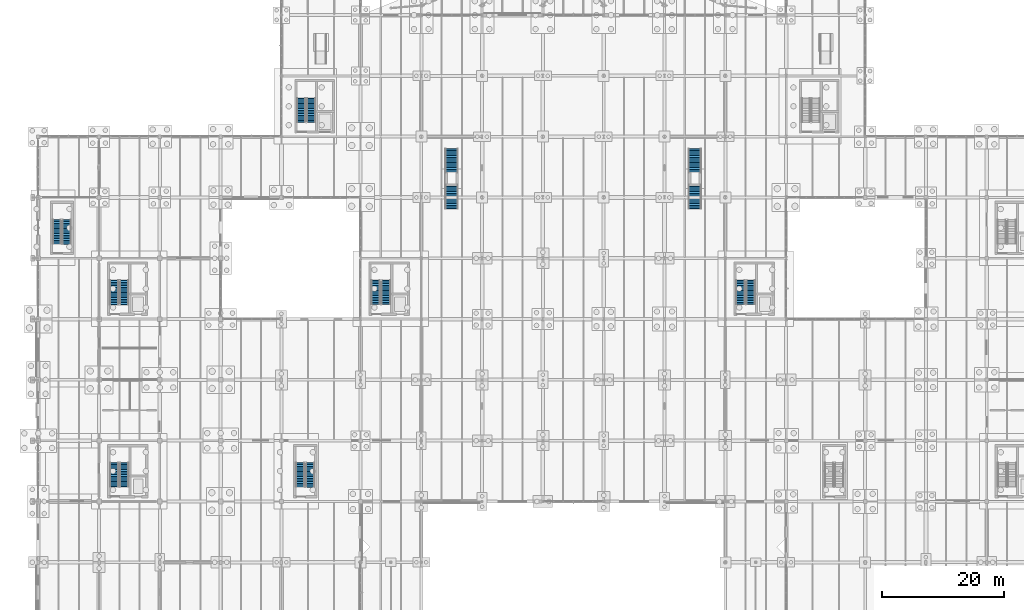
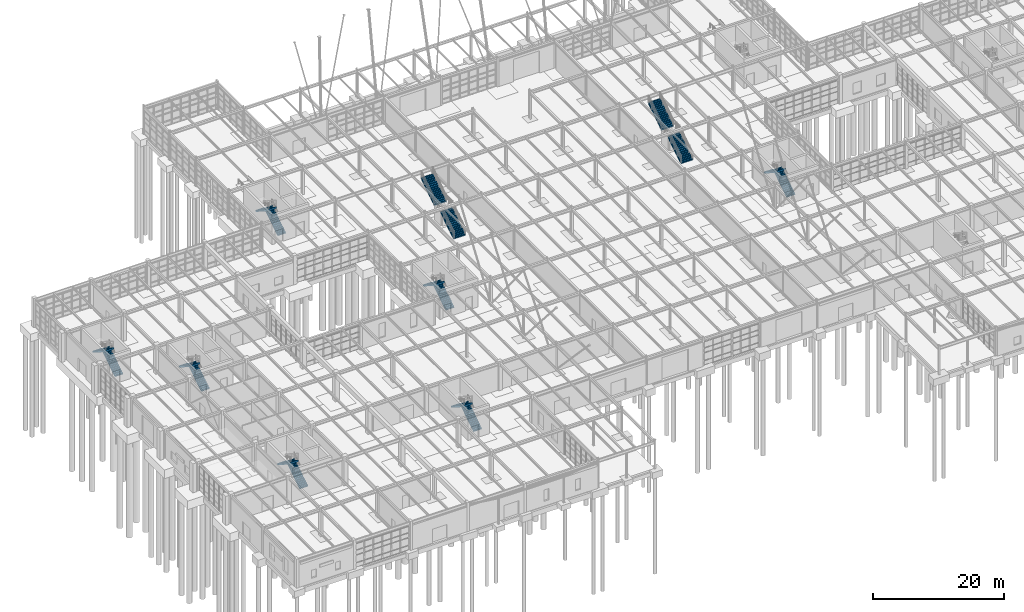
# One storey, part 128 of 145: 18 stair flights, 9 elements without a shape of their own.
"""IFC4 building model written with IfcOpenShell, lengths in metres."""

from ifc_helpers import new_model, si_unit, direction, frame, origin, place, context, subcontext, project, spatial, polyline, outline, extrude, material, type_object, element, aggregate, save


model = new_model("IFC4")

# Units and contexts
model_context = context("Model", 3, precision=1e-05, world=origin(), true_north=direction((0.0, 1.0)))
body_context = subcontext(model_context, "Body", "Model", "MODEL_VIEW")
ifc_project = project(units=[si_unit("LENGTHUNIT", "METRE"), si_unit("AREAUNIT", "SQUARE_METRE"), si_unit("VOLUMEUNIT", "CUBIC_METRE"), si_unit("PLANEANGLEUNIT", "RADIAN"), si_unit("MASSUNIT", "GRAM", prefix="KILO"), si_unit("THERMODYNAMICTEMPERATUREUNIT", "KELVIN"), si_unit("POWERUNIT", "WATT")], contexts=[model_context])

# Site, building, storey
site_placement = place(None, origin())
site = spatial("IfcSite", under=ifc_project, at=site_placement, CompositionType="ELEMENT")
building_placement = place(site_placement, origin())
building = spatial("IfcBuilding", under=site, at=building_placement, Name="Korenveer Ferry Terminal", CompositionType="ELEMENT")
storey_placement = place(building_placement, origin())
storey = spatial("IfcBuildingStorey", under=building, at=storey_placement, Name="L00", CompositionType="ELEMENT", Elevation=0.0)

# Stair, stair flights
ifc_material = material(Name="Concrete C40/50", Category="concrete")
stair_type_1 = type_object("IfcStairType", Name="INT-ST-01", PredefinedType="HALF_TURN_STAIR", material=ifc_material)
stair_1_placement = place(storey_placement, frame((14.175048828125, 22.449951171875, 0.0)))
stair_1 = element("IfcStair", 1, at=stair_1_placement, inside=storey, type_object=stair_type_1, Name="L00 West Firefighting Core K1", PredefinedType="HALF_TURN_STAIR")
stair_flight_type_1 = type_object("IfcStairFlightType", Name="INT-SF-01", PredefinedType="STRAIGHT", material=ifc_material)
stair_flight_1_placement = place(storey_placement, frame((14.175048828125, 22.449951171875, 0.0), z_axis=(0.0, 0.0, 1.0), x_axis=(0.0, 1.0, 0.0)))
stair_flight_1 = element("IfcStairFlight", 2, at=stair_flight_1_placement, type_object=stair_flight_type_1, Name="ST01 flight 1", NumberOfRisers=15, NumberOfTreads=14, PredefinedType="STRAIGHT", RiserHeight=0.18, TreadLength=0.28, context=body_context, shape_type="SweptSolid", body=[
    extrude(outline(polyline([(-0.080078125, 0.0), (0.0, 0.0), (0.0, 0.179931640625), (0.280029296875, 0.179931640625), (0.280029296875, 0.360107421875), (0.56005859375, 0.360107421875), (0.56005859375, 0.5400390625), (0.840087890625, 0.5400390625), (0.840087890625, 0.719970703125), (1.1201171875, 0.719970703125), (1.1201171875, 0.89990234375), (1.39990234375, 0.89990234375), (1.39990234375, 1.080078125), (1.679931640625, 1.080078125), (1.679931640625, 1.260009765625), (1.9599609375, 1.260009765625), (1.9599609375, 1.43994140625), (2.239990234375, 1.43994140625), (2.239990234375, 1.6201171875), (2.52001953125, 1.6201171875), (2.52001953125, 1.800048828125), (2.800048828125, 1.800048828125), (2.800048828125, 1.97998046875), (3.080078125, 1.97998046875), (3.080078125, 2.159912109375), (3.360107421875, 2.159912109375), (3.360107421875, 2.340087890625), (3.639892578125, 2.340087890625), (3.639892578125, 2.52001953125), (3.919921875, 2.52001953125), (3.919921875, 2.699951171875), (3.97998046875, 2.699951171875), (3.97998046875, 2.550048828125), (3.919921875, 2.341796875), (0.277099609375, 0.0), (0.0, -0.10009765625), (-0.080078125, -0.10009765625), (-0.080078125, 0.0)])), frame((0.0, 0.72509765625, 0.0), z_axis=(0.0, -1.0, 0.0), x_axis=(1.0, 0.0, 0.0)), (0.0, 0.0, 1.0), 1.449951171875),
])
stair_flight_2_placement = place(storey_placement, frame((12.52490234375, 26.3701171875, 2.699951171875), z_axis=(0.0, 0.0, 1.0), x_axis=(0.0, -1.0, 0.0)))
stair_flight_2 = element("IfcStairFlight", 3, at=stair_flight_2_placement, type_object=stair_flight_type_1, Name="ST01 flight 2", NumberOfRisers=15, NumberOfTreads=14, PredefinedType="STRAIGHT", RiserHeight=0.18, TreadLength=0.28, context=body_context, shape_type="SweptSolid", body=[
    extrude(outline(polyline([(-0.080078125, 0.0), (0.0, 0.0), (0.0, 0.179931640625), (0.280029296875, 0.179931640625), (0.280029296875, 0.360107421875), (0.56005859375, 0.360107421875), (0.56005859375, 0.5400390625), (0.840087890625, 0.5400390625), (0.840087890625, 0.719970703125), (1.1201171875, 0.719970703125), (1.1201171875, 0.89990234375), (1.39990234375, 0.89990234375), (1.39990234375, 1.080078125), (1.679931640625, 1.080078125), (1.679931640625, 1.260009765625), (1.9599609375, 1.260009765625), (1.9599609375, 1.43994140625), (2.239990234375, 1.43994140625), (2.239990234375, 1.6201171875), (2.52001953125, 1.6201171875), (2.52001953125, 1.800048828125), (2.800048828125, 1.800048828125), (2.800048828125, 1.97998046875), (3.080078125, 1.97998046875), (3.080078125, 2.159912109375), (3.360107421875, 2.159912109375), (3.360107421875, 2.340087890625), (3.639892578125, 2.340087890625), (3.639892578125, 2.52001953125), (3.919921875, 2.52001953125), (3.919921875, 2.699951171875), (3.97998046875, 2.699951171875), (3.97998046875, 2.550048828125), (3.919921875, 2.341796875), (0.277099609375, 0.0), (0.0, -0.10009765625), (-0.080078125, -0.10009765625), (-0.080078125, 0.0)])), frame((0.0, 0.72509765625, 0.0), z_axis=(0.0, -1.0, 0.0), x_axis=(1.0, 0.0, 0.0)), (0.0, 0.0, 1.0), 1.449951171875),
])
aggregate(stair_1, [stair_flight_1, stair_flight_2])

stair_2_placement = place(storey_placement, frame((14.135009765625, 52.409912109375, 0.0)))
stair_2 = element("IfcStair", 4, at=stair_2_placement, inside=storey, type_object=stair_type_1, Name="L00 West Operations Core K2", PredefinedType="HALF_TURN_STAIR")
stair_flight_3_placement = place(storey_placement, frame((14.135009765625, 52.409912109375, 0.0), z_axis=(0.0, 0.0, 1.0), x_axis=(0.0, 1.0, 0.0)))
stair_flight_3 = element("IfcStairFlight", 5, at=stair_flight_3_placement, type_object=stair_flight_type_1, Name="ST02 flight 1", NumberOfRisers=15, NumberOfTreads=14, PredefinedType="STRAIGHT", RiserHeight=0.18, TreadLength=0.28, context=body_context, shape_type="SweptSolid", body=[
    extrude(outline(polyline([(-0.080078125, 0.0), (0.0, 0.0), (0.0, 0.179931640625), (0.280029296875, 0.179931640625), (0.280029296875, 0.360107421875), (0.56005859375, 0.360107421875), (0.56005859375, 0.5400390625), (0.840087890625, 0.5400390625), (0.840087890625, 0.719970703125), (1.1201171875, 0.719970703125), (1.1201171875, 0.89990234375), (1.39990234375, 0.89990234375), (1.39990234375, 1.080078125), (1.679931640625, 1.080078125), (1.679931640625, 1.260009765625), (1.9599609375, 1.260009765625), (1.9599609375, 1.43994140625), (2.239990234375, 1.43994140625), (2.239990234375, 1.6201171875), (2.52001953125, 1.6201171875), (2.52001953125, 1.800048828125), (2.800048828125, 1.800048828125), (2.800048828125, 1.97998046875), (3.080078125, 1.97998046875), (3.080078125, 2.159912109375), (3.360107421875, 2.159912109375), (3.360107421875, 2.340087890625), (3.639892578125, 2.340087890625), (3.639892578125, 2.52001953125), (3.919921875, 2.52001953125), (3.919921875, 2.699951171875), (3.97998046875, 2.699951171875), (3.97998046875, 2.550048828125), (3.919921875, 2.341796875), (0.277099609375, 0.0), (0.0, -0.10009765625), (-0.080078125, -0.10009765625), (-0.080078125, 0.0)])), frame((0.0, 0.72509765625, 0.0), z_axis=(0.0, -1.0, 0.0), x_axis=(1.0, 0.0, 0.0)), (0.0, 0.0, 1.0), 1.449951171875),
])
stair_flight_4_placement = place(storey_placement, frame((12.485107421875, 56.330078125, 2.699951171875), z_axis=(0.0, 0.0, 1.0), x_axis=(0.0, -1.0, 0.0)))
stair_flight_4 = element("IfcStairFlight", 6, at=stair_flight_4_placement, type_object=stair_flight_type_1, Name="ST02 flight 2", NumberOfRisers=15, NumberOfTreads=14, PredefinedType="STRAIGHT", RiserHeight=0.18, TreadLength=0.28, context=body_context, shape_type="SweptSolid", body=[
    extrude(outline(polyline([(-0.080078125, 0.0), (0.0, 0.0), (0.0, 0.179931640625), (0.280029296875, 0.179931640625), (0.280029296875, 0.360107421875), (0.56005859375, 0.360107421875), (0.56005859375, 0.5400390625), (0.840087890625, 0.5400390625), (0.840087890625, 0.719970703125), (1.1201171875, 0.719970703125), (1.1201171875, 0.89990234375), (1.39990234375, 0.89990234375), (1.39990234375, 1.080078125), (1.679931640625, 1.080078125), (1.679931640625, 1.260009765625), (1.9599609375, 1.260009765625), (1.9599609375, 1.43994140625), (2.239990234375, 1.43994140625), (2.239990234375, 1.6201171875), (2.52001953125, 1.6201171875), (2.52001953125, 1.800048828125), (2.800048828125, 1.800048828125), (2.800048828125, 1.97998046875), (3.080078125, 1.97998046875), (3.080078125, 2.159912109375), (3.360107421875, 2.159912109375), (3.360107421875, 2.340087890625), (3.639892578125, 2.340087890625), (3.639892578125, 2.52001953125), (3.919921875, 2.52001953125), (3.919921875, 2.699951171875), (3.97998046875, 2.699951171875), (3.97998046875, 2.550048828125), (3.919921875, 2.341796875), (0.277099609375, 0.0), (0.0, -0.10009765625), (-0.080078125, -0.10009765625), (-0.080078125, 0.0)])), frame((0.0, 0.72509765625, 0.0), z_axis=(0.0, -1.0, 0.0), x_axis=(1.0, 0.0, 0.0)), (0.0, 0.0, 1.0), 1.449951171875),
])
aggregate(stair_2, [stair_flight_3, stair_flight_4])

stair_3_placement = place(storey_placement, frame((44.735107421875, 22.409912109375, 0.0)))
stair_3 = element("IfcStair", 7, at=stair_3_placement, inside=storey, type_object=stair_type_1, Name="L00 Arrivals West Stair Core K9", PredefinedType="HALF_TURN_STAIR")
stair_flight_5_placement = place(storey_placement, frame((44.735107421875, 22.409912109375, 0.0), z_axis=(0.0, 0.0, 1.0), x_axis=(0.0, 1.0, 0.0)))
stair_flight_5 = element("IfcStairFlight", 8, at=stair_flight_5_placement, type_object=stair_flight_type_1, Name="ST09 flight 1", NumberOfRisers=15, NumberOfTreads=14, PredefinedType="STRAIGHT", RiserHeight=0.18, TreadLength=0.28, context=body_context, shape_type="SweptSolid", body=[
    extrude(outline(polyline([(-0.080078125, 0.0), (0.0, 0.0), (0.0, 0.179931640625), (0.280029296875, 0.179931640625), (0.280029296875, 0.360107421875), (0.56005859375, 0.360107421875), (0.56005859375, 0.5400390625), (0.840087890625, 0.5400390625), (0.840087890625, 0.719970703125), (1.1201171875, 0.719970703125), (1.1201171875, 0.89990234375), (1.39990234375, 0.89990234375), (1.39990234375, 1.080078125), (1.679931640625, 1.080078125), (1.679931640625, 1.260009765625), (1.9599609375, 1.260009765625), (1.9599609375, 1.43994140625), (2.239990234375, 1.43994140625), (2.239990234375, 1.6201171875), (2.52001953125, 1.6201171875), (2.52001953125, 1.800048828125), (2.800048828125, 1.800048828125), (2.800048828125, 1.97998046875), (3.080078125, 1.97998046875), (3.080078125, 2.159912109375), (3.360107421875, 2.159912109375), (3.360107421875, 2.340087890625), (3.639892578125, 2.340087890625), (3.639892578125, 2.52001953125), (3.919921875, 2.52001953125), (3.919921875, 2.699951171875), (3.97998046875, 2.699951171875), (3.97998046875, 2.550048828125), (3.919921875, 2.341796875), (0.277099609375, 0.0), (0.0, -0.10009765625), (-0.080078125, -0.10009765625), (-0.080078125, 0.0)])), frame((0.0, 0.72509765625, 0.0), z_axis=(0.0, -1.0, 0.0), x_axis=(1.0, 0.0, 0.0)), (0.0, 0.0, 1.0), 1.449951171875),
])
stair_flight_6_placement = place(storey_placement, frame((43.0849609375, 26.330078125, 2.699951171875), z_axis=(0.0, 0.0, 1.0), x_axis=(0.0, -1.0, 0.0)))
stair_flight_6 = element("IfcStairFlight", 9, at=stair_flight_6_placement, type_object=stair_flight_type_1, Name="ST09 flight 2", NumberOfRisers=15, NumberOfTreads=14, PredefinedType="STRAIGHT", RiserHeight=0.18, TreadLength=0.28, context=body_context, shape_type="SweptSolid", body=[
    extrude(outline(polyline([(-0.080078125, 0.0), (0.0, 0.0), (0.0, 0.179931640625), (0.280029296875, 0.179931640625), (0.280029296875, 0.360107421875), (0.56005859375, 0.360107421875), (0.56005859375, 0.5400390625), (0.840087890625, 0.5400390625), (0.840087890625, 0.719970703125), (1.1201171875, 0.719970703125), (1.1201171875, 0.89990234375), (1.39990234375, 0.89990234375), (1.39990234375, 1.080078125), (1.679931640625, 1.080078125), (1.679931640625, 1.260009765625), (1.9599609375, 1.260009765625), (1.9599609375, 1.43994140625), (2.239990234375, 1.43994140625), (2.239990234375, 1.6201171875), (2.52001953125, 1.6201171875), (2.52001953125, 1.800048828125), (2.800048828125, 1.800048828125), (2.800048828125, 1.97998046875), (3.080078125, 1.97998046875), (3.080078125, 2.159912109375), (3.360107421875, 2.159912109375), (3.360107421875, 2.340087890625), (3.639892578125, 2.340087890625), (3.639892578125, 2.52001953125), (3.919921875, 2.52001953125), (3.919921875, 2.699951171875), (3.97998046875, 2.699951171875), (3.97998046875, 2.550048828125), (3.919921875, 2.341796875), (0.277099609375, 0.0), (0.0, -0.10009765625), (-0.080078125, -0.10009765625), (-0.080078125, 0.0)])), frame((0.0, 0.72509765625, 0.0), z_axis=(0.0, -1.0, 0.0), x_axis=(1.0, 0.0, 0.0)), (0.0, 0.0, 1.0), 1.449951171875),
])
aggregate(stair_3, [stair_flight_5, stair_flight_6])

stair_type_2 = type_object("IfcStairType", Name="INT-ST-05", PredefinedType="HALF_TURN_STAIR", material=ifc_material)
stair_4_placement = place(storey_placement, frame((57.2099609375, 52.4599609375, 0.0)))
stair_4 = element("IfcStair", 10, at=stair_4_placement, inside=storey, type_object=stair_type_2, Name="L00 Departure West Core K5", PredefinedType="HALF_TURN_STAIR")
stair_flight_type_2 = type_object("IfcStairFlightType", Name="INT-SF-05", PredefinedType="STRAIGHT", material=ifc_material)
stair_flight_7_placement = place(storey_placement, frame((57.2099609375, 52.4599609375, 0.0), z_axis=(0.0, 0.0, 1.0), x_axis=(0.0, 1.0, 0.0)))
stair_flight_7 = element("IfcStairFlight", 11, at=stair_flight_7_placement, type_object=stair_flight_type_2, Name="ST05 flight 1", NumberOfRisers=15, NumberOfTreads=14, PredefinedType="STRAIGHT", RiserHeight=0.18, TreadLength=0.28, context=body_context, shape_type="SweptSolid", body=[
    extrude(outline(polyline([(-0.080078125, 0.0), (0.0, 0.0), (0.0, 0.179931640625), (0.280029296875, 0.179931640625), (0.280029296875, 0.360107421875), (0.56005859375, 0.360107421875), (0.56005859375, 0.5400390625), (0.840087890625, 0.5400390625), (0.840087890625, 0.719970703125), (1.1201171875, 0.719970703125), (1.1201171875, 0.89990234375), (1.39990234375, 0.89990234375), (1.39990234375, 1.080078125), (1.679931640625, 1.080078125), (1.679931640625, 1.260009765625), (1.9599609375, 1.260009765625), (1.9599609375, 1.43994140625), (2.239990234375, 1.43994140625), (2.239990234375, 1.6201171875), (2.52001953125, 1.6201171875), (2.52001953125, 1.800048828125), (2.800048828125, 1.800048828125), (2.800048828125, 1.97998046875), (3.080078125, 1.97998046875), (3.080078125, 2.159912109375), (3.360107421875, 2.159912109375), (3.360107421875, 2.340087890625), (3.639892578125, 2.340087890625), (3.639892578125, 2.52001953125), (3.919921875, 2.52001953125), (3.919921875, 2.699951171875), (3.97998046875, 2.699951171875), (3.97998046875, 2.550048828125), (3.919921875, 2.341796875), (0.277099609375, 0.0), (0.0, -0.10009765625), (-0.080078125, -0.10009765625), (-0.080078125, 0.0)])), frame((0.0, 0.75, 0.0), z_axis=(0.0, -1.0, 0.0), x_axis=(1.0, 0.0, 0.0)), (0.0, 0.0, 1.0), 1.5),
])
stair_flight_8_placement = place(storey_placement, frame((55.510009765625, 56.3798828125, 2.699951171875), z_axis=(0.0, 0.0, 1.0), x_axis=(0.0, -1.0, 0.0)))
stair_flight_8 = element("IfcStairFlight", 12, at=stair_flight_8_placement, type_object=stair_flight_type_2, Name="ST05 flight 2", NumberOfRisers=15, NumberOfTreads=14, PredefinedType="STRAIGHT", RiserHeight=0.18, TreadLength=0.28, context=body_context, shape_type="SweptSolid", body=[
    extrude(outline(polyline([(-0.080078125, 0.0), (0.0, 0.0), (0.0, 0.179931640625), (0.280029296875, 0.179931640625), (0.280029296875, 0.360107421875), (0.56005859375, 0.360107421875), (0.56005859375, 0.5400390625), (0.840087890625, 0.5400390625), (0.840087890625, 0.719970703125), (1.1201171875, 0.719970703125), (1.1201171875, 0.89990234375), (1.39990234375, 0.89990234375), (1.39990234375, 1.080078125), (1.679931640625, 1.080078125), (1.679931640625, 1.260009765625), (1.9599609375, 1.260009765625), (1.9599609375, 1.43994140625), (2.239990234375, 1.43994140625), (2.239990234375, 1.6201171875), (2.52001953125, 1.6201171875), (2.52001953125, 1.800048828125), (2.800048828125, 1.800048828125), (2.800048828125, 1.97998046875), (3.080078125, 1.97998046875), (3.080078125, 2.159912109375), (3.360107421875, 2.159912109375), (3.360107421875, 2.340087890625), (3.639892578125, 2.340087890625), (3.639892578125, 2.52001953125), (3.919921875, 2.52001953125), (3.919921875, 2.699951171875), (3.97998046875, 2.699951171875), (3.97998046875, 2.550048828125), (3.919921875, 2.341796875), (0.277099609375, 0.0), (0.0, -0.10009765625), (-0.080078125, -0.10009765625), (-0.080078125, 0.0)])), frame((0.0, 0.75, 0.0), z_axis=(0.0, -1.0, 0.0), x_axis=(1.0, 0.0, 0.0)), (0.0, 0.0, 1.0), 1.5),
])
aggregate(stair_4, [stair_flight_7, stair_flight_8])

stair_5_placement = place(storey_placement, frame((117.2099609375, 52.4599609375, 0.0)))
stair_5 = element("IfcStair", 13, at=stair_5_placement, inside=storey, type_object=stair_type_2, Name="L00 Departure East Core K6", PredefinedType="HALF_TURN_STAIR")
stair_flight_9_placement = place(storey_placement, frame((117.2099609375, 52.4599609375, 0.0), z_axis=(0.0, 0.0, 1.0), x_axis=(0.0, 1.0, 0.0)))
stair_flight_9 = element("IfcStairFlight", 14, at=stair_flight_9_placement, type_object=stair_flight_type_2, Name="ST06 flight 1", NumberOfRisers=15, NumberOfTreads=14, PredefinedType="STRAIGHT", RiserHeight=0.18, TreadLength=0.28, context=body_context, shape_type="SweptSolid", body=[
    extrude(outline(polyline([(-0.080078125, 0.0), (0.0, 0.0), (0.0, 0.179931640625), (0.280029296875, 0.179931640625), (0.280029296875, 0.360107421875), (0.56005859375, 0.360107421875), (0.56005859375, 0.5400390625), (0.840087890625, 0.5400390625), (0.840087890625, 0.719970703125), (1.1201171875, 0.719970703125), (1.1201171875, 0.89990234375), (1.39990234375, 0.89990234375), (1.39990234375, 1.080078125), (1.679931640625, 1.080078125), (1.679931640625, 1.260009765625), (1.9599609375, 1.260009765625), (1.9599609375, 1.43994140625), (2.239990234375, 1.43994140625), (2.239990234375, 1.6201171875), (2.52001953125, 1.6201171875), (2.52001953125, 1.800048828125), (2.800048828125, 1.800048828125), (2.800048828125, 1.97998046875), (3.080078125, 1.97998046875), (3.080078125, 2.159912109375), (3.360107421875, 2.159912109375), (3.360107421875, 2.340087890625), (3.639892578125, 2.340087890625), (3.639892578125, 2.52001953125), (3.919921875, 2.52001953125), (3.919921875, 2.699951171875), (3.97998046875, 2.699951171875), (3.97998046875, 2.550048828125), (3.919921875, 2.341796875), (0.277099609375, 0.0), (0.0, -0.10009765625), (-0.080078125, -0.10009765625), (-0.080078125, 0.0)])), frame((0.0, 0.75, 0.0), z_axis=(0.0, -1.0, 0.0), x_axis=(1.0, 0.0, 0.0)), (0.0, 0.0, 1.0), 1.5),
])
stair_flight_10_placement = place(storey_placement, frame((115.510009765625, 56.3798828125, 2.699951171875), z_axis=(0.0, 0.0, 1.0), x_axis=(0.0, -1.0, 0.0)))
stair_flight_10 = element("IfcStairFlight", 15, at=stair_flight_10_placement, type_object=stair_flight_type_2, Name="ST06 flight 2", NumberOfRisers=15, NumberOfTreads=14, PredefinedType="STRAIGHT", RiserHeight=0.18, TreadLength=0.28, context=body_context, shape_type="SweptSolid", body=[
    extrude(outline(polyline([(-0.080078125, 0.0), (0.0, 0.0), (0.0, 0.179931640625), (0.280029296875, 0.179931640625), (0.280029296875, 0.360107421875), (0.56005859375, 0.360107421875), (0.56005859375, 0.5400390625), (0.840087890625, 0.5400390625), (0.840087890625, 0.719970703125), (1.1201171875, 0.719970703125), (1.1201171875, 0.89990234375), (1.39990234375, 0.89990234375), (1.39990234375, 1.080078125), (1.679931640625, 1.080078125), (1.679931640625, 1.260009765625), (1.9599609375, 1.260009765625), (1.9599609375, 1.43994140625), (2.239990234375, 1.43994140625), (2.239990234375, 1.6201171875), (2.52001953125, 1.6201171875), (2.52001953125, 1.800048828125), (2.800048828125, 1.800048828125), (2.800048828125, 1.97998046875), (3.080078125, 1.97998046875), (3.080078125, 2.159912109375), (3.360107421875, 2.159912109375), (3.360107421875, 2.340087890625), (3.639892578125, 2.340087890625), (3.639892578125, 2.52001953125), (3.919921875, 2.52001953125), (3.919921875, 2.699951171875), (3.97998046875, 2.699951171875), (3.97998046875, 2.550048828125), (3.919921875, 2.341796875), (0.277099609375, 0.0), (0.0, -0.10009765625), (-0.080078125, -0.10009765625), (-0.080078125, 0.0)])), frame((0.0, 0.75, 0.0), z_axis=(0.0, -1.0, 0.0), x_axis=(1.0, 0.0, 0.0)), (0.0, 0.0, 1.0), 1.5),
])
aggregate(stair_5, [stair_flight_9, stair_flight_10])

stair_type_3 = type_object("IfcStairType", Name="INT-ST-07", PredefinedType="HALF_TURN_STAIR", material=ifc_material)
stair_6_placement = place(storey_placement, frame((44.889892578125, 82.3798828125, 0.0)))
stair_6 = element("IfcStair", 16, at=stair_6_placement, inside=storey, type_object=stair_type_3, Name="L00 West Berth Pier Core K7", PredefinedType="HALF_TURN_STAIR")
stair_flight_type_3 = type_object("IfcStairFlightType", Name="INT-SF-07", PredefinedType="STRAIGHT", material=ifc_material)
stair_flight_11_placement = place(storey_placement, frame((44.889892578125, 82.3798828125, 0.0), z_axis=(0.0, 0.0, 1.0), x_axis=(0.0, 1.0, 0.0)))
stair_flight_11 = element("IfcStairFlight", 17, at=stair_flight_11_placement, type_object=stair_flight_type_3, Name="ST07 flight 1", NumberOfRisers=15, NumberOfTreads=14, PredefinedType="STRAIGHT", RiserHeight=0.18, TreadLength=0.28, context=body_context, shape_type="SweptSolid", body=[
    extrude(outline(polyline([(-0.080078125, 0.0), (0.0, 0.0), (0.0, 0.179931640625), (0.280029296875, 0.179931640625), (0.280029296875, 0.360107421875), (0.56005859375, 0.360107421875), (0.56005859375, 0.5400390625), (0.840087890625, 0.5400390625), (0.840087890625, 0.719970703125), (1.1201171875, 0.719970703125), (1.1201171875, 0.89990234375), (1.39990234375, 0.89990234375), (1.39990234375, 1.080078125), (1.679931640625, 1.080078125), (1.679931640625, 1.260009765625), (1.9599609375, 1.260009765625), (1.9599609375, 1.43994140625), (2.239990234375, 1.43994140625), (2.239990234375, 1.6201171875), (2.52001953125, 1.6201171875), (2.52001953125, 1.800048828125), (2.800048828125, 1.800048828125), (2.800048828125, 1.97998046875), (3.080078125, 1.97998046875), (3.080078125, 2.159912109375), (3.360107421875, 2.159912109375), (3.360107421875, 2.340087890625), (3.639892578125, 2.340087890625), (3.639892578125, 2.52001953125), (3.919921875, 2.52001953125), (3.919921875, 2.699951171875), (3.97998046875, 2.699951171875), (3.97998046875, 2.550048828125), (3.919921875, 2.341796875), (0.277099609375, 0.0), (0.0, -0.10009765625), (-0.080078125, -0.10009765625), (-0.080078125, 0.0)])), frame((0.0, 0.7099609375, 0.0), z_axis=(0.0, -1.0, 0.0), x_axis=(1.0, 0.0, 0.0)), (0.0, 0.0, 1.0), 1.419921875),
])
stair_flight_12_placement = place(storey_placement, frame((43.27001953125, 86.300048828125, 2.699951171875), z_axis=(0.0, 0.0, 1.0), x_axis=(0.0, -1.0, 0.0)))
stair_flight_12 = element("IfcStairFlight", 18, at=stair_flight_12_placement, type_object=stair_flight_type_3, Name="ST07 flight 2", NumberOfRisers=15, NumberOfTreads=14, PredefinedType="STRAIGHT", RiserHeight=0.18, TreadLength=0.28, context=body_context, shape_type="SweptSolid", body=[
    extrude(outline(polyline([(-0.080078125, 0.0), (0.0, 0.0), (0.0, 0.179931640625), (0.280029296875, 0.179931640625), (0.280029296875, 0.360107421875), (0.56005859375, 0.360107421875), (0.56005859375, 0.5400390625), (0.840087890625, 0.5400390625), (0.840087890625, 0.719970703125), (1.1201171875, 0.719970703125), (1.1201171875, 0.89990234375), (1.39990234375, 0.89990234375), (1.39990234375, 1.080078125), (1.679931640625, 1.080078125), (1.679931640625, 1.260009765625), (1.9599609375, 1.260009765625), (1.9599609375, 1.43994140625), (2.239990234375, 1.43994140625), (2.239990234375, 1.6201171875), (2.52001953125, 1.6201171875), (2.52001953125, 1.800048828125), (2.800048828125, 1.800048828125), (2.800048828125, 1.97998046875), (3.080078125, 1.97998046875), (3.080078125, 2.159912109375), (3.360107421875, 2.159912109375), (3.360107421875, 2.340087890625), (3.639892578125, 2.340087890625), (3.639892578125, 2.52001953125), (3.919921875, 2.52001953125), (3.919921875, 2.699951171875), (3.97998046875, 2.699951171875), (3.97998046875, 2.550048828125), (3.919921875, 2.341796875), (0.277099609375, 0.0), (0.0, -0.10009765625), (-0.080078125, -0.10009765625), (-0.080078125, 0.0)])), frame((0.0, 0.7099609375, 0.0), z_axis=(0.0, -1.0, 0.0), x_axis=(1.0, 0.0, 0.0)), (0.0, 0.0, 1.0), 1.419921875),
])
aggregate(stair_6, [stair_flight_11, stair_flight_12])

stair_7_placement = place(storey_placement, frame((4.68994140625, 62.3798828125, 0.0)))
stair_7 = element("IfcStair", 19, at=stair_7_placement, inside=storey, type_object=stair_type_3, Name="L00 Harbourmaster North Stair Core K11", PredefinedType="HALF_TURN_STAIR")
stair_flight_13_placement = place(storey_placement, frame((4.68994140625, 62.3798828125, 0.0), z_axis=(0.0, 0.0, 1.0), x_axis=(0.0, 1.0, 0.0)))
stair_flight_13 = element("IfcStairFlight", 20, at=stair_flight_13_placement, type_object=stair_flight_type_3, Name="ST11 flight 1", NumberOfRisers=15, NumberOfTreads=14, PredefinedType="STRAIGHT", RiserHeight=0.18, TreadLength=0.28, context=body_context, shape_type="SweptSolid", body=[
    extrude(outline(polyline([(-0.080078125, 0.0), (0.0, 0.0), (0.0, 0.179931640625), (0.280029296875, 0.179931640625), (0.280029296875, 0.360107421875), (0.56005859375, 0.360107421875), (0.56005859375, 0.5400390625), (0.840087890625, 0.5400390625), (0.840087890625, 0.719970703125), (1.1201171875, 0.719970703125), (1.1201171875, 0.89990234375), (1.39990234375, 0.89990234375), (1.39990234375, 1.080078125), (1.679931640625, 1.080078125), (1.679931640625, 1.260009765625), (1.9599609375, 1.260009765625), (1.9599609375, 1.43994140625), (2.239990234375, 1.43994140625), (2.239990234375, 1.6201171875), (2.52001953125, 1.6201171875), (2.52001953125, 1.800048828125), (2.800048828125, 1.800048828125), (2.800048828125, 1.97998046875), (3.080078125, 1.97998046875), (3.080078125, 2.159912109375), (3.360107421875, 2.159912109375), (3.360107421875, 2.340087890625), (3.639892578125, 2.340087890625), (3.639892578125, 2.52001953125), (3.919921875, 2.52001953125), (3.919921875, 2.699951171875), (3.97998046875, 2.699951171875), (3.97998046875, 2.550048828125), (3.919921875, 2.341796875), (0.277099609375, 0.0), (0.0, -0.10009765625), (-0.080078125, -0.10009765625), (-0.080078125, 0.0)])), frame((0.0, 0.7099609375, 0.0), z_axis=(0.0, -1.0, 0.0), x_axis=(1.0, 0.0, 0.0)), (0.0, 0.0, 1.0), 1.419921875),
])
stair_flight_14_placement = place(storey_placement, frame((3.070068359375, 66.300048828125, 2.699951171875), z_axis=(0.0, 0.0, 1.0), x_axis=(0.0, -1.0, 0.0)))
stair_flight_14 = element("IfcStairFlight", 21, at=stair_flight_14_placement, type_object=stair_flight_type_3, Name="ST11 flight 2", NumberOfRisers=15, NumberOfTreads=14, PredefinedType="STRAIGHT", RiserHeight=0.18, TreadLength=0.28, context=body_context, shape_type="SweptSolid", body=[
    extrude(outline(polyline([(-0.080078125, 0.0), (0.0, 0.0), (0.0, 0.179931640625), (0.280029296875, 0.179931640625), (0.280029296875, 0.360107421875), (0.56005859375, 0.360107421875), (0.56005859375, 0.5400390625), (0.840087890625, 0.5400390625), (0.840087890625, 0.719970703125), (1.1201171875, 0.719970703125), (1.1201171875, 0.89990234375), (1.39990234375, 0.89990234375), (1.39990234375, 1.080078125), (1.679931640625, 1.080078125), (1.679931640625, 1.260009765625), (1.9599609375, 1.260009765625), (1.9599609375, 1.43994140625), (2.239990234375, 1.43994140625), (2.239990234375, 1.6201171875), (2.52001953125, 1.6201171875), (2.52001953125, 1.800048828125), (2.800048828125, 1.800048828125), (2.800048828125, 1.97998046875), (3.080078125, 1.97998046875), (3.080078125, 2.159912109375), (3.360107421875, 2.159912109375), (3.360107421875, 2.340087890625), (3.639892578125, 2.340087890625), (3.639892578125, 2.52001953125), (3.919921875, 2.52001953125), (3.919921875, 2.699951171875), (3.97998046875, 2.699951171875), (3.97998046875, 2.550048828125), (3.919921875, 2.341796875), (0.277099609375, 0.0), (0.0, -0.10009765625), (-0.080078125, -0.10009765625), (-0.080078125, 0.0)])), frame((0.0, 0.7099609375, 0.0), z_axis=(0.0, -1.0, 0.0), x_axis=(1.0, 0.0, 0.0)), (0.0, 0.0, 1.0), 1.419921875),
])
aggregate(stair_7, [stair_flight_13, stair_flight_14])

stair_type_4 = type_object("IfcStairType", Name="INT-ST-FEAT", PredefinedType="STRAIGHT_RUN_STAIR", material=ifc_material)
stair_8_placement = place(storey_placement, frame((68.0, 68.159912109375, 0.0)))
stair_8 = element("IfcStair", 22, at=stair_8_placement, inside=storey, type_object=stair_type_4, Name="Concourse monumental stair ST13", PredefinedType="STRAIGHT_RUN_STAIR")
stair_flight_type_4 = type_object("IfcStairFlightType", Name="INT-SF-FEAT", PredefinedType="STRAIGHT", material=ifc_material)
stair_flight_15_placement = place(storey_placement, frame((68.0, 68.159912109375, 0.0), z_axis=(0.0, 0.0, 1.0), x_axis=(0.0, 1.0, 0.0)))
stair_flight_15 = element("IfcStairFlight", 23, at=stair_flight_15_placement, type_object=stair_flight_type_4, Name="ST13 flight 1", NumberOfRisers=15, NumberOfTreads=14, PredefinedType="STRAIGHT", RiserHeight=0.18, TreadLength=0.28, context=body_context, shape_type="SweptSolid", body=[
    extrude(outline(polyline([(-0.080078125, 0.0), (0.0, 0.0), (0.0, 0.179931640625), (0.280029296875, 0.179931640625), (0.280029296875, 0.360107421875), (0.56005859375, 0.360107421875), (0.56005859375, 0.5400390625), (0.840087890625, 0.5400390625), (0.840087890625, 0.719970703125), (1.1201171875, 0.719970703125), (1.1201171875, 0.89990234375), (1.39990234375, 0.89990234375), (1.39990234375, 1.080078125), (1.679931640625, 1.080078125), (1.679931640625, 1.260009765625), (1.9599609375, 1.260009765625), (1.9599609375, 1.43994140625), (2.239990234375, 1.43994140625), (2.239990234375, 1.6201171875), (2.52001953125, 1.6201171875), (2.52001953125, 1.800048828125), (2.800048828125, 1.800048828125), (2.800048828125, 1.97998046875), (3.080078125, 1.97998046875), (3.080078125, 2.159912109375), (3.360107421875, 2.159912109375), (3.360107421875, 2.340087890625), (3.639892578125, 2.340087890625), (3.639892578125, 2.52001953125), (3.919921875, 2.52001953125), (3.919921875, 2.699951171875), (3.97998046875, 2.699951171875), (3.97998046875, 2.5), (3.919921875, 2.2822265625), (0.369873046875, 0.0), (0.0, -0.10009765625), (-0.080078125, -0.10009765625), (-0.080078125, 0.0)])), frame((0.0, 1.050048828125, 0.0), z_axis=(0.0, -1.0, 0.0), x_axis=(1.0, 0.0, 0.0)), (0.0, 0.0, 1.0), 2.10009765625),
])
stair_flight_16_placement = place(storey_placement, frame((68.0, 74.080078125, 2.699951171875), z_axis=(0.0, 0.0, 1.0), x_axis=(0.0, 1.0, 0.0)))
stair_flight_16 = element("IfcStairFlight", 24, at=stair_flight_16_placement, type_object=stair_flight_type_4, Name="ST13 flight 2", NumberOfRisers=15, NumberOfTreads=14, PredefinedType="STRAIGHT", RiserHeight=0.18, TreadLength=0.28, context=body_context, shape_type="SweptSolid", body=[
    extrude(outline(polyline([(-0.080078125, 0.0), (0.0, 0.0), (0.0, 0.179931640625), (0.280029296875, 0.179931640625), (0.280029296875, 0.360107421875), (0.56005859375, 0.360107421875), (0.56005859375, 0.5400390625), (0.840087890625, 0.5400390625), (0.840087890625, 0.719970703125), (1.1201171875, 0.719970703125), (1.1201171875, 0.89990234375), (1.39990234375, 0.89990234375), (1.39990234375, 1.080078125), (1.679931640625, 1.080078125), (1.679931640625, 1.260009765625), (1.9599609375, 1.260009765625), (1.9599609375, 1.43994140625), (2.239990234375, 1.43994140625), (2.239990234375, 1.6201171875), (2.52001953125, 1.6201171875), (2.52001953125, 1.800048828125), (2.800048828125, 1.800048828125), (2.800048828125, 1.97998046875), (3.080078125, 1.97998046875), (3.080078125, 2.159912109375), (3.360107421875, 2.159912109375), (3.360107421875, 2.340087890625), (3.639892578125, 2.340087890625), (3.639892578125, 2.52001953125), (3.919921875, 2.52001953125), (3.919921875, 2.699951171875), (3.97998046875, 2.699951171875), (3.97998046875, 2.5), (3.919921875, 2.2822265625), (0.369873046875, 0.0), (0.0, -0.10009765625), (-0.080078125, -0.10009765625), (-0.080078125, 0.0)])), frame((0.0, 1.050048828125, 0.0), z_axis=(0.0, -1.0, 0.0), x_axis=(1.0, 0.0, 0.0)), (0.0, 0.0, 1.0), 2.10009765625),
])
aggregate(stair_8, [stair_flight_15, stair_flight_16])

stair_9_placement = place(storey_placement, frame((108.0, 68.159912109375, 0.0)))
stair_9 = element("IfcStair", 25, at=stair_9_placement, inside=storey, type_object=stair_type_4, Name="Concourse monumental stair ST14", PredefinedType="STRAIGHT_RUN_STAIR")
stair_flight_17_placement = place(storey_placement, frame((108.0, 68.159912109375, 0.0), z_axis=(0.0, 0.0, 1.0), x_axis=(0.0, 1.0, 0.0)))
stair_flight_17 = element("IfcStairFlight", 26, at=stair_flight_17_placement, type_object=stair_flight_type_4, Name="ST14 flight 1", NumberOfRisers=15, NumberOfTreads=14, PredefinedType="STRAIGHT", RiserHeight=0.18, TreadLength=0.28, context=body_context, shape_type="SweptSolid", body=[
    extrude(outline(polyline([(-0.080078125, 0.0), (0.0, 0.0), (0.0, 0.179931640625), (0.280029296875, 0.179931640625), (0.280029296875, 0.360107421875), (0.56005859375, 0.360107421875), (0.56005859375, 0.5400390625), (0.840087890625, 0.5400390625), (0.840087890625, 0.719970703125), (1.1201171875, 0.719970703125), (1.1201171875, 0.89990234375), (1.39990234375, 0.89990234375), (1.39990234375, 1.080078125), (1.679931640625, 1.080078125), (1.679931640625, 1.260009765625), (1.9599609375, 1.260009765625), (1.9599609375, 1.43994140625), (2.239990234375, 1.43994140625), (2.239990234375, 1.6201171875), (2.52001953125, 1.6201171875), (2.52001953125, 1.800048828125), (2.800048828125, 1.800048828125), (2.800048828125, 1.97998046875), (3.080078125, 1.97998046875), (3.080078125, 2.159912109375), (3.360107421875, 2.159912109375), (3.360107421875, 2.340087890625), (3.639892578125, 2.340087890625), (3.639892578125, 2.52001953125), (3.919921875, 2.52001953125), (3.919921875, 2.699951171875), (3.97998046875, 2.699951171875), (3.97998046875, 2.5), (3.919921875, 2.2822265625), (0.369873046875, 0.0), (0.0, -0.10009765625), (-0.080078125, -0.10009765625), (-0.080078125, 0.0)])), frame((0.0, 1.050048828125, 0.0), z_axis=(0.0, -1.0, 0.0), x_axis=(1.0, 0.0, 0.0)), (0.0, 0.0, 1.0), 2.10009765625),
])
stair_flight_18_placement = place(storey_placement, frame((108.0, 74.080078125, 2.699951171875), z_axis=(0.0, 0.0, 1.0), x_axis=(0.0, 1.0, 0.0)))
stair_flight_18 = element("IfcStairFlight", 27, at=stair_flight_18_placement, type_object=stair_flight_type_4, Name="ST14 flight 2", NumberOfRisers=15, NumberOfTreads=14, PredefinedType="STRAIGHT", RiserHeight=0.18, TreadLength=0.28, context=body_context, shape_type="SweptSolid", body=[
    extrude(outline(polyline([(-0.080078125, 0.0), (0.0, 0.0), (0.0, 0.179931640625), (0.280029296875, 0.179931640625), (0.280029296875, 0.360107421875), (0.56005859375, 0.360107421875), (0.56005859375, 0.5400390625), (0.840087890625, 0.5400390625), (0.840087890625, 0.719970703125), (1.1201171875, 0.719970703125), (1.1201171875, 0.89990234375), (1.39990234375, 0.89990234375), (1.39990234375, 1.080078125), (1.679931640625, 1.080078125), (1.679931640625, 1.260009765625), (1.9599609375, 1.260009765625), (1.9599609375, 1.43994140625), (2.239990234375, 1.43994140625), (2.239990234375, 1.6201171875), (2.52001953125, 1.6201171875), (2.52001953125, 1.800048828125), (2.800048828125, 1.800048828125), (2.800048828125, 1.97998046875), (3.080078125, 1.97998046875), (3.080078125, 2.159912109375), (3.360107421875, 2.159912109375), (3.360107421875, 2.340087890625), (3.639892578125, 2.340087890625), (3.639892578125, 2.52001953125), (3.919921875, 2.52001953125), (3.919921875, 2.699951171875), (3.97998046875, 2.699951171875), (3.97998046875, 2.5), (3.919921875, 2.2822265625), (0.369873046875, 0.0), (0.0, -0.10009765625), (-0.080078125, -0.10009765625), (-0.080078125, 0.0)])), frame((0.0, 1.050048828125, 0.0), z_axis=(0.0, -1.0, 0.0), x_axis=(1.0, 0.0, 0.0)), (0.0, 0.0, 1.0), 2.10009765625),
])
aggregate(stair_9, [stair_flight_17, stair_flight_18])

save(model, "model.ifc")
